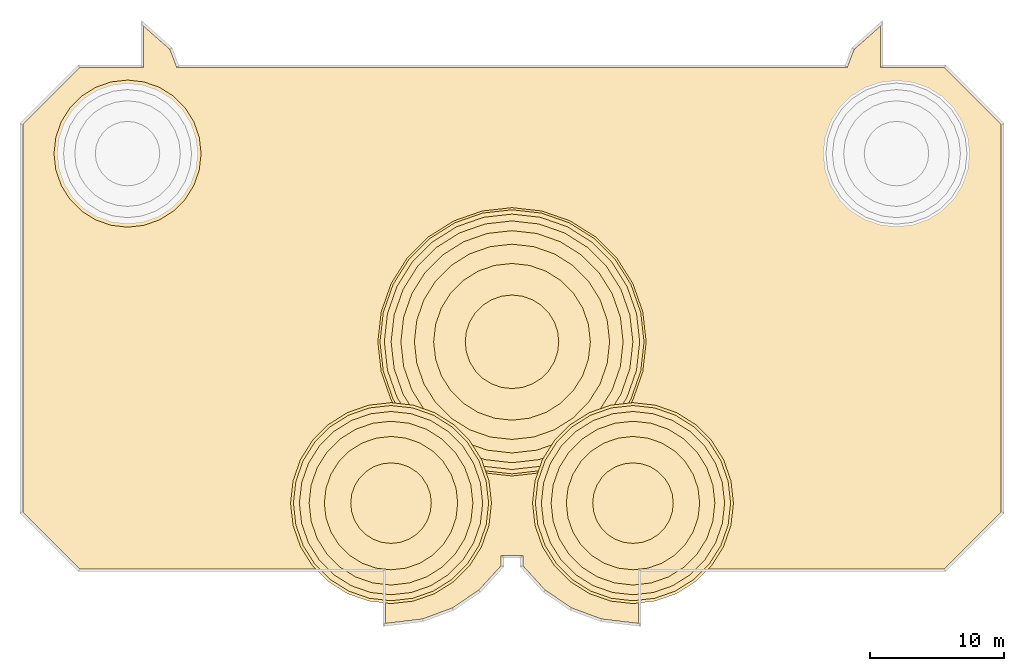
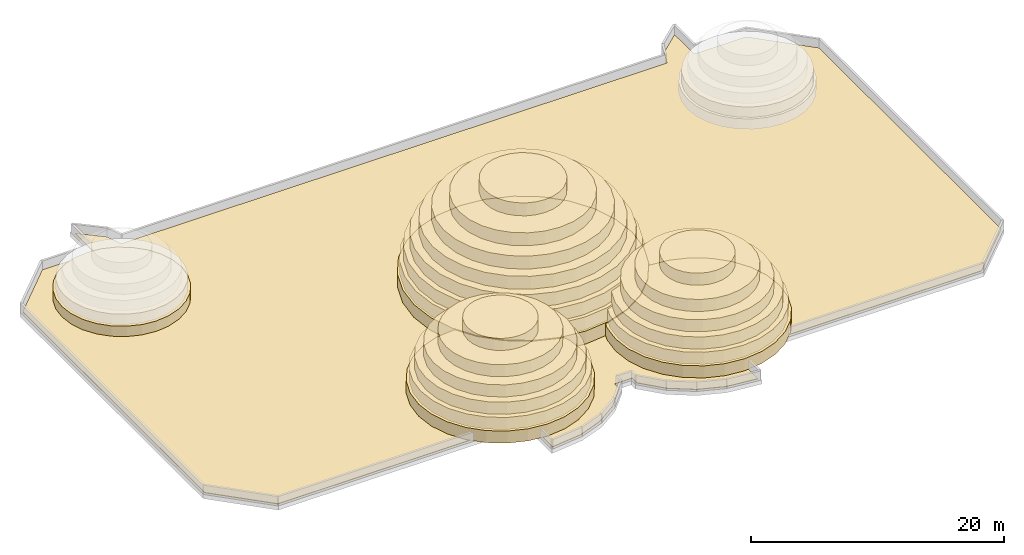
# One storey, part 2 of 3: 22 coverings.
"""IFC4 building model written with IfcOpenShell, lengths in metres."""

from ifc_helpers import new_model, si_unit, direction, frame, origin, place, context, subcontext, project, spatial, polyline, outline, extrude, source, transform, mapped, material, layer, layer_set, type_object, element, save


model = new_model("IFC4")

# Units and contexts
model_context = context("Model", 3, precision=1e-05, world=origin(), true_north=direction((0.0, 1.0)))
body_context = subcontext(model_context, "Body", "Model", "MODEL_VIEW")
ifc_project = project(units=[si_unit("LENGTHUNIT", "METRE"), si_unit("AREAUNIT", "SQUARE_METRE"), si_unit("VOLUMEUNIT", "CUBIC_METRE"), si_unit("PLANEANGLEUNIT", "RADIAN"), si_unit("MASSUNIT", "GRAM", prefix="KILO")], contexts=[model_context])

# Site, building, storey
site_placement = place(None, origin())
site = spatial("IfcSite", under=ifc_project, at=site_placement, CompositionType="ELEMENT")
building_placement = place(site_placement, origin())
building = spatial("IfcBuilding", under=site, at=building_placement, Name="Vanashikhar Sky Hotel", CompositionType="ELEMENT")
storey_placement = place(building_placement, frame((0.0, 0.0, 339.300048828125)))
storey = spatial("IfcBuildingStorey", under=building, at=storey_placement, Name="ROOF", CompositionType="ELEMENT", Elevation=339.300048828125)

# Coverings
ifc_material = material(Name="Terracotta roofing tile", Category="masonry")
ifc_layer_1 = layer(ifc_material, 0.06005859375)
ifc_layer_set_1 = layer_set([ifc_layer_1], Name="Roofing covering 60")
covering_type_1 = type_object("IfcCoveringType", Name="Roofing covering 60", PredefinedType="ROOFING", material=ifc_layer_set_1)
shared_shape_1 = source(origin(), body_context, "Body", "SweptSolid", [
    extrude(outline(polyline([(49.594970703125, 5.346435546875), (47.926513671875, 3.5244140625), (45.964599609375, 2.2041015625), (43.747314453125, 1.38134765625), (41.0048828125, 1.05517578125), (41.0048828125, 5.10498046875), (18.236328125, 5.10498046875), (14.0048828125, 9.33642578125), (14.0048828125, 38.16357421875), (18.236328125, 42.39501953125), (22.992919921875, 42.39501953125), (22.992919921875, 45.485595703125), (24.94921875, 43.7587890625), (25.4716796875, 42.39501953125), (75.328369140625, 42.39501953125), (75.850830078125, 43.7587890625), (77.806884765625, 45.485595703125), (77.806884765625, 42.39501953125), (82.563720703125, 42.39501953125), (86.794921875, 38.16357421875), (86.794921875, 9.33642578125), (82.563720703125, 5.10498046875), (59.794921875, 5.10498046875), (59.794921875, 1.05517578125), (57.052490234375, 1.38134765625), (54.83544921875, 2.2041015625), (52.873291015625, 3.5244140625), (51.205078125, 5.346435546875), (51.205078125, 6.10498046875), (49.594970703125, 6.10498046875), (49.594970703125, 5.346435546875)])), origin(), (0.0, 0.0, 1.0), 0.06005859375),
])
covering_1_placement = place(storey_placement, frame((0.0, 0.0, 0.39990234375)))
element("IfcCovering", 1, at=covering_1_placement, inside=storey, type_object=covering_type_1, Name="Canopy roofing", PredefinedType="ROOFING", context=body_context, shape_type="MappedRepresentation", body=[
    mapped(shared_shape_1, transform((0.0, 0.0, 0.0), scale=1.0)),
])
ifc_layer_2 = layer(ifc_material, 1.0)
ifc_layer_set_2 = layer_set([ifc_layer_2], Name="Crown peak shell")
covering_type_2 = type_object("IfcCoveringType", Name="Crown peak shell", PredefinedType="CLADDING", material=ifc_layer_set_2)
shared_shape_2 = source(origin(), body_context, "Body", "SweptSolid", [
    extrude(outline(polyline([(60.38037109375, 22.0), (60.130126953125, 24.220947265625), (59.39208984375, 26.330322265625), (58.202880859375, 28.22265625), (56.622802734375, 29.802978515625), (54.73046875, 30.9921875), (52.620849609375, 31.730224609375), (50.39990234375, 31.98046875), (48.17919921875, 31.730224609375), (46.069580078125, 30.9921875), (44.17724609375, 29.802978515625), (42.596923828125, 28.22265625), (41.407958984375, 26.330322265625), (40.669921875, 24.220947265625), (40.419677734375, 22.0), (40.669921875, 19.779052734375), (41.407958984375, 17.669677734375), (42.596923828125, 15.77734375), (44.17724609375, 14.197021484375), (46.069580078125, 13.0078125), (48.17919921875, 12.269775390625), (50.39990234375, 12.01953125), (52.620849609375, 12.269775390625), (54.73046875, 13.0078125), (56.622802734375, 14.197021484375), (58.202880859375, 15.77734375), (59.39208984375, 17.669677734375), (60.130126953125, 19.779052734375), (60.38037109375, 22.0)])), origin(), (0.0, 0.0, 1.0), 1.25),
])
covering_2_placement = place(storey_placement, frame((0.0, 0.0, 0.4599609375)))
element("IfcCovering", 2, at=covering_2_placement, inside=storey, type_object=covering_type_2, Name="Crown peak shell", PredefinedType="CLADDING", context=body_context, shape_type="MappedRepresentation", body=[
    mapped(shared_shape_2, transform((0.0, 0.0, 0.0), scale=1.0)),
])
shared_shape_3 = source(origin(), body_context, "Body", "SweptSolid", [
    extrude(outline(polyline([(60.22265625, 22.0), (59.976318359375, 24.185791015625), (59.25, 26.261962890625), (58.07958984375, 28.124267578125), (56.5244140625, 29.6796875), (54.661865234375, 30.849853515625), (52.585693359375, 31.576416015625), (50.39990234375, 31.822509765625), (48.21435546875, 31.576416015625), (46.13818359375, 30.849853515625), (44.275634765625, 29.6796875), (42.72021484375, 28.124267578125), (41.550048828125, 26.261962890625), (40.823486328125, 24.185791015625), (40.577392578125, 22.0), (40.823486328125, 19.814208984375), (41.550048828125, 17.738037109375), (42.72021484375, 15.875732421875), (44.275634765625, 14.3203125), (46.13818359375, 13.150146484375), (48.21435546875, 12.423583984375), (50.39990234375, 12.177490234375), (52.585693359375, 12.423583984375), (54.661865234375, 13.150146484375), (56.5244140625, 14.3203125), (58.07958984375, 15.875732421875), (59.25, 17.738037109375), (59.976318359375, 19.814208984375), (60.22265625, 22.0)])), origin(), (0.0, 0.0, 1.0), 1.25),
])
covering_3_placement = place(storey_placement, frame((0.0, 0.0, 1.7099609375)))
element("IfcCovering", 3, at=covering_3_placement, inside=storey, type_object=covering_type_2, Name="Crown peak shell", PredefinedType="CLADDING", context=body_context, shape_type="MappedRepresentation", body=[
    mapped(shared_shape_3, transform((0.0, 0.0, 0.0), scale=1.0)),
])
shared_shape_4 = source(origin(), body_context, "Body", "SweptSolid", [
    extrude(outline(polyline([(59.899169921875, 22.0), (59.660888671875, 24.11376953125), (58.95849609375, 26.12158203125), (57.826904296875, 27.922607421875), (56.322509765625, 29.4267578125), (54.521484375, 30.55859375), (52.513916015625, 31.260986328125), (50.39990234375, 31.499267578125), (48.2861328125, 31.260986328125), (46.278564453125, 30.55859375), (44.477294921875, 29.4267578125), (42.97314453125, 27.922607421875), (41.841552734375, 26.12158203125), (41.138916015625, 24.11376953125), (40.90087890625, 22.0), (41.138916015625, 19.88623046875), (41.841552734375, 17.87841796875), (42.97314453125, 16.077392578125), (44.477294921875, 14.5732421875), (46.278564453125, 13.44140625), (48.2861328125, 12.739013671875), (50.39990234375, 12.500732421875), (52.513916015625, 12.739013671875), (54.521484375, 13.44140625), (56.322509765625, 14.5732421875), (57.826904296875, 16.077392578125), (58.95849609375, 17.87841796875), (59.660888671875, 19.88623046875), (59.899169921875, 22.0)])), origin(), (0.0, 0.0, 1.0), 1.25),
])
covering_4_placement = place(storey_placement, frame((0.0, 0.0, 2.9599609375)))
element("IfcCovering", 4, at=covering_4_placement, inside=storey, type_object=covering_type_2, Name="Crown peak shell", PredefinedType="CLADDING", context=body_context, shape_type="MappedRepresentation", body=[
    mapped(shared_shape_4, transform((0.0, 0.0, 0.0), scale=1.0)),
])
shared_shape_5 = source(origin(), body_context, "Body", "SweptSolid", [
    extrude(outline(polyline([(59.39208984375, 22.0), (59.166748046875, 24.0009765625), (58.501708984375, 25.901611328125), (57.430419921875, 27.6064453125), (56.006591796875, 29.030517578125), (54.301513671875, 30.101806640625), (52.40087890625, 30.7666015625), (50.39990234375, 30.9921875), (48.399169921875, 30.7666015625), (46.498291015625, 30.101806640625), (44.79345703125, 29.030517578125), (43.36962890625, 27.6064453125), (42.29833984375, 25.901611328125), (41.63330078125, 24.0009765625), (41.40771484375, 22.0), (41.63330078125, 19.9990234375), (42.29833984375, 18.098388671875), (43.36962890625, 16.3935546875), (44.79345703125, 14.969482421875), (46.498291015625, 13.898193359375), (48.399169921875, 13.2333984375), (50.39990234375, 13.0078125), (52.40087890625, 13.2333984375), (54.301513671875, 13.898193359375), (56.006591796875, 14.969482421875), (57.430419921875, 16.3935546875), (58.501708984375, 18.098388671875), (59.166748046875, 19.9990234375), (59.39208984375, 22.0)])), origin(), (0.0, 0.0, 1.0), 1.25),
])
covering_5_placement = place(storey_placement, frame((0.0, 0.0, 4.2099609375)))
element("IfcCovering", 5, at=covering_5_placement, inside=storey, type_object=covering_type_2, Name="Crown peak shell", PredefinedType="CLADDING", context=body_context, shape_type="MappedRepresentation", body=[
    mapped(shared_shape_5, transform((0.0, 0.0, 0.0), scale=1.0)),
])
shared_shape_6 = source(origin(), body_context, "Body", "SweptSolid", [
    extrude(outline(polyline([(58.66796875, 22.0), (58.460693359375, 23.83984375), (57.84912109375, 25.58740234375), (56.8642578125, 27.155029296875), (55.554931640625, 28.464111328125), (53.9873046875, 29.44921875), (52.23974609375, 30.060791015625), (50.39990234375, 30.26806640625), (48.560302734375, 30.060791015625), (46.812744140625, 29.44921875), (45.2451171875, 28.464111328125), (43.935791015625, 27.155029296875), (42.95068359375, 25.58740234375), (42.33935546875, 23.83984375), (42.132080078125, 22.0), (42.33935546875, 20.16015625), (42.95068359375, 18.41259765625), (43.935791015625, 16.844970703125), (45.2451171875, 15.535888671875), (46.812744140625, 14.55078125), (48.560302734375, 13.939208984375), (50.39990234375, 13.73193359375), (52.23974609375, 13.939208984375), (53.9873046875, 14.55078125), (55.554931640625, 15.535888671875), (56.8642578125, 16.844970703125), (57.84912109375, 18.41259765625), (58.460693359375, 20.16015625), (58.66796875, 22.0)])), origin(), (0.0, 0.0, 1.0), 1.25),
])
covering_6_placement = place(storey_placement, frame((0.0, 0.0, 5.4599609375)))
element("IfcCovering", 6, at=covering_6_placement, inside=storey, type_object=covering_type_2, Name="Crown peak shell", PredefinedType="CLADDING", context=body_context, shape_type="MappedRepresentation", body=[
    mapped(shared_shape_6, transform((0.0, 0.0, 0.0), scale=1.0)),
])
shared_shape_7 = source(origin(), body_context, "Body", "SweptSolid", [
    extrude(outline(polyline([(57.661865234375, 22.0), (57.479736328125, 23.615966796875), (56.942626953125, 25.15087890625), (56.077392578125, 26.527587890625), (54.927734375, 27.677490234375), (53.55078125, 28.542724609375), (52.015869140625, 29.079833984375), (50.39990234375, 29.26171875), (48.7841796875, 29.079833984375), (47.249267578125, 28.542724609375), (45.872314453125, 27.677490234375), (44.722412109375, 26.527587890625), (43.857421875, 25.15087890625), (43.3203125, 23.615966796875), (43.13818359375, 22.0), (43.3203125, 20.384033203125), (43.857421875, 18.84912109375), (44.722412109375, 17.472412109375), (45.872314453125, 16.322509765625), (47.249267578125, 15.457275390625), (48.7841796875, 14.920166015625), (50.39990234375, 14.73828125), (52.015869140625, 14.920166015625), (53.55078125, 15.457275390625), (54.927734375, 16.322509765625), (56.077392578125, 17.472412109375), (56.942626953125, 18.84912109375), (57.479736328125, 20.384033203125), (57.661865234375, 22.0)])), origin(), (0.0, 0.0, 1.0), 1.25),
])
covering_7_placement = place(storey_placement, frame((0.0, 0.0, 6.7099609375)))
element("IfcCovering", 7, at=covering_7_placement, inside=storey, type_object=covering_type_2, Name="Crown peak shell", PredefinedType="CLADDING", context=body_context, shape_type="MappedRepresentation", body=[
    mapped(shared_shape_7, transform((0.0, 0.0, 0.0), scale=1.0)),
])
shared_shape_8 = source(origin(), body_context, "Body", "SweptSolid", [
    extrude(outline(polyline([(56.2294921875, 22.0), (56.08349609375, 23.297119140625), (55.65234375, 24.529296875), (54.957763671875, 25.634765625), (54.03466796875, 26.557861328125), (52.929443359375, 27.252197265625), (51.697265625, 27.68359375), (50.39990234375, 27.82958984375), (49.102783203125, 27.68359375), (47.87060546875, 27.252197265625), (46.765380859375, 26.557861328125), (45.84228515625, 25.634765625), (45.147705078125, 24.529296875), (44.716552734375, 23.297119140625), (44.5703125, 22.0), (44.716552734375, 20.702880859375), (45.147705078125, 19.470703125), (45.84228515625, 18.365234375), (46.765380859375, 17.442138671875), (47.87060546875, 16.747802734375), (49.102783203125, 16.31640625), (50.39990234375, 16.17041015625), (51.697265625, 16.31640625), (52.929443359375, 16.747802734375), (54.03466796875, 17.442138671875), (54.957763671875, 18.365234375), (55.65234375, 19.470703125), (56.08349609375, 20.702880859375), (56.2294921875, 22.0)])), origin(), (0.0, 0.0, 1.0), 1.25),
])
covering_8_placement = place(storey_placement, frame((0.0, 0.0, 7.9599609375)))
element("IfcCovering", 8, at=covering_8_placement, inside=storey, type_object=covering_type_2, Name="Crown peak shell", PredefinedType="CLADDING", context=body_context, shape_type="MappedRepresentation", body=[
    mapped(shared_shape_8, transform((0.0, 0.0, 0.0), scale=1.0)),
])
shared_shape_9 = source(origin(), body_context, "Body", "SweptSolid", [
    extrude(outline(polyline([(53.8798828125, 22.0), (53.79248046875, 22.7744140625), (53.53515625, 23.510009765625), (53.12060546875, 24.169677734375), (52.569580078125, 24.720703125), (51.909912109375, 25.13525390625), (51.17431640625, 25.392578125), (50.39990234375, 25.47998046875), (49.625732421875, 25.392578125), (48.89013671875, 25.13525390625), (48.230224609375, 24.720703125), (47.67919921875, 24.169677734375), (47.264892578125, 23.510009765625), (47.00732421875, 22.7744140625), (46.920166015625, 22.0), (47.00732421875, 21.2255859375), (47.264892578125, 20.489990234375), (47.67919921875, 19.830322265625), (48.230224609375, 19.279296875), (48.89013671875, 18.86474609375), (49.625732421875, 18.607421875), (50.39990234375, 18.52001953125), (51.17431640625, 18.607421875), (51.909912109375, 18.86474609375), (52.569580078125, 19.279296875), (53.12060546875, 19.830322265625), (53.53515625, 20.489990234375), (53.79248046875, 21.2255859375), (53.8798828125, 22.0)])), origin(), (0.0, 0.0, 1.0), 1.25),
])
covering_9_placement = place(storey_placement, frame((0.0, 0.0, 9.2099609375)))
element("IfcCovering", 9, at=covering_9_placement, inside=storey, type_object=covering_type_2, Name="Crown peak shell", PredefinedType="CLADDING", context=body_context, shape_type="MappedRepresentation", body=[
    mapped(shared_shape_9, transform((0.0, 0.0, 0.0), scale=1.0)),
])
shared_shape_10 = source(origin(), body_context, "Body", "SweptSolid", [
    extrude(outline(polyline([(48.873779296875, 10.0), (48.6865234375, 11.6630859375), (48.1337890625, 13.242919921875), (47.243408203125, 14.659912109375), (46.059814453125, 15.84326171875), (44.642822265625, 16.73388671875), (43.06298828125, 17.28662109375), (41.39990234375, 17.473876953125), (39.73681640625, 17.28662109375), (38.1572265625, 16.73388671875), (36.739990234375, 15.84326171875), (35.556640625, 14.659912109375), (34.666259765625, 13.242919921875), (34.113525390625, 11.6630859375), (33.926025390625, 10.0), (34.113525390625, 8.3369140625), (34.666259765625, 6.757080078125), (35.556640625, 5.340087890625), (36.739990234375, 4.15673828125), (38.1572265625, 3.26611328125), (39.73681640625, 2.71337890625), (41.39990234375, 2.526123046875), (43.06298828125, 2.71337890625), (44.642822265625, 3.26611328125), (46.059814453125, 4.15673828125), (47.243408203125, 5.340087890625), (48.1337890625, 6.757080078125), (48.6865234375, 8.3369140625), (48.873779296875, 10.0)])), origin(), (0.0, 0.0, 1.0), 1.166748046875),
])
covering_10_placement = place(storey_placement, frame((0.0, 0.0, 0.4599609375)))
element("IfcCovering", 10, at=covering_10_placement, inside=storey, type_object=covering_type_2, Name="Crown peak shell", PredefinedType="CLADDING", context=body_context, shape_type="MappedRepresentation", body=[
    mapped(shared_shape_10, transform((0.0, 0.0, 0.0), scale=1.0)),
])
shared_shape_11 = source(origin(), body_context, "Body", "SweptSolid", [
    extrude(outline(polyline([(48.661865234375, 10.0), (48.479736328125, 11.615966796875), (47.942626953125, 13.15087890625), (47.077392578125, 14.527587890625), (45.927734375, 15.677490234375), (44.55078125, 16.542724609375), (43.015869140625, 17.079833984375), (41.39990234375, 17.26171875), (39.7841796875, 17.079833984375), (38.249267578125, 16.542724609375), (36.872314453125, 15.677490234375), (35.722412109375, 14.527587890625), (34.857421875, 13.15087890625), (34.3203125, 11.615966796875), (34.13818359375, 10.0), (34.3203125, 8.384033203125), (34.857421875, 6.84912109375), (35.722412109375, 5.472412109375), (36.872314453125, 4.322509765625), (38.249267578125, 3.457275390625), (39.7841796875, 2.920166015625), (41.39990234375, 2.73828125), (43.015869140625, 2.920166015625), (44.55078125, 3.457275390625), (45.927734375, 4.322509765625), (47.077392578125, 5.472412109375), (47.942626953125, 6.84912109375), (48.479736328125, 8.384033203125), (48.661865234375, 10.0)])), origin(), (0.0, 0.0, 1.0), 1.16650390625),
])
covering_11_placement = place(storey_placement, frame((0.0, 0.0, 1.626708984375)))
element("IfcCovering", 11, at=covering_11_placement, inside=storey, type_object=covering_type_2, Name="Crown peak shell", PredefinedType="CLADDING", context=body_context, shape_type="MappedRepresentation", body=[
    mapped(shared_shape_11, transform((0.0, 0.0, 0.0), scale=1.0)),
])
shared_shape_12 = source(origin(), body_context, "Body", "SweptSolid", [
    extrude(outline(polyline([(48.218017578125, 10.0), (48.047119140625, 11.51708984375), (47.542724609375, 12.958251953125), (46.73046875, 14.2509765625), (45.65087890625, 15.33056640625), (44.358154296875, 16.142822265625), (42.9169921875, 16.64697265625), (41.39990234375, 16.81787109375), (39.8828125, 16.64697265625), (38.44189453125, 16.142822265625), (37.149169921875, 15.33056640625), (36.069580078125, 14.2509765625), (35.257080078125, 12.958251953125), (34.7529296875, 11.51708984375), (34.58203125, 10.0), (34.7529296875, 8.48291015625), (35.257080078125, 7.041748046875), (36.069580078125, 5.7490234375), (37.149169921875, 4.66943359375), (38.44189453125, 3.857177734375), (39.8828125, 3.35302734375), (41.39990234375, 3.18212890625), (42.9169921875, 3.35302734375), (44.358154296875, 3.857177734375), (45.65087890625, 4.66943359375), (46.73046875, 5.7490234375), (47.542724609375, 7.041748046875), (48.047119140625, 8.48291015625), (48.218017578125, 10.0)])), origin(), (0.0, 0.0, 1.0), 1.166748046875),
])
covering_12_placement = place(storey_placement, frame((0.0, 0.0, 2.793212890625)))
element("IfcCovering", 12, at=covering_12_placement, inside=storey, type_object=covering_type_2, Name="Crown peak shell", PredefinedType="CLADDING", context=body_context, shape_type="MappedRepresentation", body=[
    mapped(shared_shape_12, transform((0.0, 0.0, 0.0), scale=1.0)),
])
shared_shape_13 = source(origin(), body_context, "Body", "SweptSolid", [
    extrude(outline(polyline([(47.49169921875, 10.0), (47.339111328125, 11.35546875), (46.888427734375, 12.64306640625), (46.16259765625, 13.798095703125), (45.197998046875, 14.7626953125), (44.043212890625, 15.488525390625), (42.755615234375, 15.93896484375), (41.39990234375, 16.091796875), (40.04443359375, 15.93896484375), (38.7568359375, 15.488525390625), (37.601806640625, 14.7626953125), (36.63720703125, 13.798095703125), (35.91162109375, 12.64306640625), (35.4609375, 11.35546875), (35.308349609375, 10.0), (35.4609375, 8.64453125), (35.91162109375, 7.35693359375), (36.63720703125, 6.201904296875), (37.601806640625, 5.2373046875), (38.7568359375, 4.511474609375), (40.04443359375, 4.06103515625), (41.39990234375, 3.908203125), (42.755615234375, 4.06103515625), (44.043212890625, 4.511474609375), (45.197998046875, 5.2373046875), (46.16259765625, 6.201904296875), (46.888427734375, 7.35693359375), (47.339111328125, 8.64453125), (47.49169921875, 10.0)])), origin(), (0.0, 0.0, 1.0), 1.166748046875),
])
covering_13_placement = place(storey_placement, frame((0.0, 0.0, 3.9599609375)))
element("IfcCovering", 13, at=covering_13_placement, inside=storey, type_object=covering_type_2, Name="Crown peak shell", PredefinedType="CLADDING", context=body_context, shape_type="MappedRepresentation", body=[
    mapped(shared_shape_13, transform((0.0, 0.0, 0.0), scale=1.0)),
])
shared_shape_14 = source(origin(), body_context, "Body", "SweptSolid", [
    extrude(outline(polyline([(46.36083984375, 10.0), (46.236328125, 11.10400390625), (45.869384765625, 12.15234375), (45.278564453125, 13.093017578125), (44.492919921875, 13.87841796875), (43.552490234375, 14.469482421875), (42.50390625, 14.83642578125), (41.39990234375, 14.960693359375), (40.296142578125, 14.83642578125), (39.24755859375, 14.469482421875), (38.306884765625, 13.87841796875), (37.521484375, 13.093017578125), (36.930419921875, 12.15234375), (36.563720703125, 11.10400390625), (36.439208984375, 10.0), (36.563720703125, 8.89599609375), (36.930419921875, 7.84765625), (37.521484375, 6.906982421875), (38.306884765625, 6.12158203125), (39.24755859375, 5.530517578125), (40.296142578125, 5.16357421875), (41.39990234375, 5.039306640625), (42.50390625, 5.16357421875), (43.552490234375, 5.530517578125), (44.492919921875, 6.12158203125), (45.278564453125, 6.906982421875), (45.869384765625, 7.84765625), (46.236328125, 8.89599609375), (46.36083984375, 10.0)])), origin(), (0.0, 0.0, 1.0), 1.16650390625),
])
covering_14_placement = place(storey_placement, frame((0.0, 0.0, 5.126708984375)))
element("IfcCovering", 14, at=covering_14_placement, inside=storey, type_object=covering_type_2, Name="Crown peak shell", PredefinedType="CLADDING", context=body_context, shape_type="MappedRepresentation", body=[
    mapped(shared_shape_14, transform((0.0, 0.0, 0.0), scale=1.0)),
])
shared_shape_15 = source(origin(), body_context, "Body", "SweptSolid", [
    extrude(outline(polyline([(44.3974609375, 10.0), (44.322265625, 10.6669921875), (44.1005859375, 11.300537109375), (43.743408203125, 11.868896484375), (43.268798828125, 12.343505859375), (42.700439453125, 12.70068359375), (42.06689453125, 12.922119140625), (41.39990234375, 12.997314453125), (40.73291015625, 12.922119140625), (40.099609375, 12.70068359375), (39.53125, 12.343505859375), (39.056396484375, 11.868896484375), (38.699462890625, 11.300537109375), (38.477783203125, 10.6669921875), (38.402587890625, 10.0), (38.477783203125, 9.3330078125), (38.699462890625, 8.699462890625), (39.056396484375, 8.131103515625), (39.53125, 7.656494140625), (40.099609375, 7.29931640625), (40.73291015625, 7.077880859375), (41.39990234375, 7.002685546875), (42.06689453125, 7.077880859375), (42.700439453125, 7.29931640625), (43.268798828125, 7.656494140625), (43.743408203125, 8.131103515625), (44.1005859375, 8.699462890625), (44.322265625, 9.3330078125), (44.3974609375, 10.0)])), origin(), (0.0, 0.0, 1.0), 1.166748046875),
])
covering_15_placement = place(storey_placement, frame((0.0, 0.0, 6.293212890625)))
element("IfcCovering", 15, at=covering_15_placement, inside=storey, type_object=covering_type_2, Name="Crown peak shell", PredefinedType="CLADDING", context=body_context, shape_type="MappedRepresentation", body=[
    mapped(shared_shape_15, transform((0.0, 0.0, 0.0), scale=1.0)),
])
shared_shape_16 = source(origin(), body_context, "Body", "SweptSolid", [
    extrude(outline(polyline([(66.873779296875, 10.0), (66.6865234375, 11.6630859375), (66.1337890625, 13.242919921875), (65.243408203125, 14.659912109375), (64.059814453125, 15.84326171875), (62.642822265625, 16.73388671875), (61.06298828125, 17.28662109375), (59.39990234375, 17.473876953125), (57.73681640625, 17.28662109375), (56.1572265625, 16.73388671875), (54.739990234375, 15.84326171875), (53.556640625, 14.659912109375), (52.666259765625, 13.242919921875), (52.113525390625, 11.6630859375), (51.926025390625, 10.0), (52.113525390625, 8.3369140625), (52.666259765625, 6.757080078125), (53.556640625, 5.340087890625), (54.739990234375, 4.15673828125), (56.1572265625, 3.26611328125), (57.73681640625, 2.71337890625), (59.39990234375, 2.526123046875), (61.06298828125, 2.71337890625), (62.642822265625, 3.26611328125), (64.059814453125, 4.15673828125), (65.243408203125, 5.340087890625), (66.1337890625, 6.757080078125), (66.6865234375, 8.3369140625), (66.873779296875, 10.0)])), origin(), (0.0, 0.0, 1.0), 1.166748046875),
])
covering_16_placement = place(storey_placement, frame((0.0, 0.0, 0.4599609375)))
element("IfcCovering", 16, at=covering_16_placement, inside=storey, type_object=covering_type_2, Name="Crown peak shell", PredefinedType="CLADDING", context=body_context, shape_type="MappedRepresentation", body=[
    mapped(shared_shape_16, transform((0.0, 0.0, 0.0), scale=1.0)),
])
shared_shape_17 = source(origin(), body_context, "Body", "SweptSolid", [
    extrude(outline(polyline([(66.661865234375, 10.0), (66.479736328125, 11.615966796875), (65.942626953125, 13.15087890625), (65.077392578125, 14.527587890625), (63.927734375, 15.677490234375), (62.55078125, 16.542724609375), (61.015869140625, 17.079833984375), (59.39990234375, 17.26171875), (57.7841796875, 17.079833984375), (56.249267578125, 16.542724609375), (54.872314453125, 15.677490234375), (53.722412109375, 14.527587890625), (52.857421875, 13.15087890625), (52.3203125, 11.615966796875), (52.13818359375, 10.0), (52.3203125, 8.384033203125), (52.857421875, 6.84912109375), (53.722412109375, 5.472412109375), (54.872314453125, 4.322509765625), (56.249267578125, 3.457275390625), (57.7841796875, 2.920166015625), (59.39990234375, 2.73828125), (61.015869140625, 2.920166015625), (62.55078125, 3.457275390625), (63.927734375, 4.322509765625), (65.077392578125, 5.472412109375), (65.942626953125, 6.84912109375), (66.479736328125, 8.384033203125), (66.661865234375, 10.0)])), origin(), (0.0, 0.0, 1.0), 1.16650390625),
])
covering_17_placement = place(storey_placement, frame((0.0, 0.0, 1.626708984375)))
element("IfcCovering", 17, at=covering_17_placement, inside=storey, type_object=covering_type_2, Name="Crown peak shell", PredefinedType="CLADDING", context=body_context, shape_type="MappedRepresentation", body=[
    mapped(shared_shape_17, transform((0.0, 0.0, 0.0), scale=1.0)),
])
shared_shape_18 = source(origin(), body_context, "Body", "SweptSolid", [
    extrude(outline(polyline([(66.218017578125, 10.0), (66.047119140625, 11.51708984375), (65.542724609375, 12.958251953125), (64.73046875, 14.2509765625), (63.65087890625, 15.33056640625), (62.358154296875, 16.142822265625), (60.9169921875, 16.64697265625), (59.39990234375, 16.81787109375), (57.8828125, 16.64697265625), (56.44189453125, 16.142822265625), (55.149169921875, 15.33056640625), (54.069580078125, 14.2509765625), (53.257080078125, 12.958251953125), (52.7529296875, 11.51708984375), (52.58203125, 10.0), (52.7529296875, 8.48291015625), (53.257080078125, 7.041748046875), (54.069580078125, 5.7490234375), (55.149169921875, 4.66943359375), (56.44189453125, 3.857177734375), (57.8828125, 3.35302734375), (59.39990234375, 3.18212890625), (60.9169921875, 3.35302734375), (62.358154296875, 3.857177734375), (63.65087890625, 4.66943359375), (64.73046875, 5.7490234375), (65.542724609375, 7.041748046875), (66.047119140625, 8.48291015625), (66.218017578125, 10.0)])), origin(), (0.0, 0.0, 1.0), 1.166748046875),
])
covering_18_placement = place(storey_placement, frame((0.0, 0.0, 2.793212890625)))
element("IfcCovering", 18, at=covering_18_placement, inside=storey, type_object=covering_type_2, Name="Crown peak shell", PredefinedType="CLADDING", context=body_context, shape_type="MappedRepresentation", body=[
    mapped(shared_shape_18, transform((0.0, 0.0, 0.0), scale=1.0)),
])
shared_shape_19 = source(origin(), body_context, "Body", "SweptSolid", [
    extrude(outline(polyline([(65.49169921875, 10.0), (65.339111328125, 11.35546875), (64.888427734375, 12.64306640625), (64.16259765625, 13.798095703125), (63.197998046875, 14.7626953125), (62.043212890625, 15.488525390625), (60.755615234375, 15.93896484375), (59.39990234375, 16.091796875), (58.04443359375, 15.93896484375), (56.7568359375, 15.488525390625), (55.601806640625, 14.7626953125), (54.63720703125, 13.798095703125), (53.91162109375, 12.64306640625), (53.4609375, 11.35546875), (53.308349609375, 10.0), (53.4609375, 8.64453125), (53.91162109375, 7.35693359375), (54.63720703125, 6.201904296875), (55.601806640625, 5.2373046875), (56.7568359375, 4.511474609375), (58.04443359375, 4.06103515625), (59.39990234375, 3.908203125), (60.755615234375, 4.06103515625), (62.043212890625, 4.511474609375), (63.197998046875, 5.2373046875), (64.16259765625, 6.201904296875), (64.888427734375, 7.35693359375), (65.339111328125, 8.64453125), (65.49169921875, 10.0)])), origin(), (0.0, 0.0, 1.0), 1.166748046875),
])
covering_19_placement = place(storey_placement, frame((0.0, 0.0, 3.9599609375)))
element("IfcCovering", 19, at=covering_19_placement, inside=storey, type_object=covering_type_2, Name="Crown peak shell", PredefinedType="CLADDING", context=body_context, shape_type="MappedRepresentation", body=[
    mapped(shared_shape_19, transform((0.0, 0.0, 0.0), scale=1.0)),
])
shared_shape_20 = source(origin(), body_context, "Body", "SweptSolid", [
    extrude(outline(polyline([(64.36083984375, 10.0), (64.236328125, 11.10400390625), (63.869384765625, 12.15234375), (63.278564453125, 13.093017578125), (62.492919921875, 13.87841796875), (61.552490234375, 14.469482421875), (60.50390625, 14.83642578125), (59.39990234375, 14.960693359375), (58.296142578125, 14.83642578125), (57.24755859375, 14.469482421875), (56.306884765625, 13.87841796875), (55.521484375, 13.093017578125), (54.930419921875, 12.15234375), (54.563720703125, 11.10400390625), (54.439208984375, 10.0), (54.563720703125, 8.89599609375), (54.930419921875, 7.84765625), (55.521484375, 6.906982421875), (56.306884765625, 6.12158203125), (57.24755859375, 5.530517578125), (58.296142578125, 5.16357421875), (59.39990234375, 5.039306640625), (60.50390625, 5.16357421875), (61.552490234375, 5.530517578125), (62.492919921875, 6.12158203125), (63.278564453125, 6.906982421875), (63.869384765625, 7.84765625), (64.236328125, 8.89599609375), (64.36083984375, 10.0)])), origin(), (0.0, 0.0, 1.0), 1.16650390625),
])
covering_20_placement = place(storey_placement, frame((0.0, 0.0, 5.126708984375)))
element("IfcCovering", 20, at=covering_20_placement, inside=storey, type_object=covering_type_2, Name="Crown peak shell", PredefinedType="CLADDING", context=body_context, shape_type="MappedRepresentation", body=[
    mapped(shared_shape_20, transform((0.0, 0.0, 0.0), scale=1.0)),
])
shared_shape_21 = source(origin(), body_context, "Body", "SweptSolid", [
    extrude(outline(polyline([(62.3974609375, 10.0), (62.322265625, 10.6669921875), (62.1005859375, 11.300537109375), (61.743408203125, 11.868896484375), (61.268798828125, 12.343505859375), (60.700439453125, 12.70068359375), (60.06689453125, 12.922119140625), (59.39990234375, 12.997314453125), (58.73291015625, 12.922119140625), (58.099609375, 12.70068359375), (57.53125, 12.343505859375), (57.056396484375, 11.868896484375), (56.699462890625, 11.300537109375), (56.477783203125, 10.6669921875), (56.402587890625, 10.0), (56.477783203125, 9.3330078125), (56.699462890625, 8.699462890625), (57.056396484375, 8.131103515625), (57.53125, 7.656494140625), (58.099609375, 7.29931640625), (58.73291015625, 7.077880859375), (59.39990234375, 7.002685546875), (60.06689453125, 7.077880859375), (60.700439453125, 7.29931640625), (61.268798828125, 7.656494140625), (61.743408203125, 8.131103515625), (62.1005859375, 8.699462890625), (62.322265625, 9.3330078125), (62.3974609375, 10.0)])), origin(), (0.0, 0.0, 1.0), 1.166748046875),
])
covering_21_placement = place(storey_placement, frame((0.0, 0.0, 6.293212890625)))
element("IfcCovering", 21, at=covering_21_placement, inside=storey, type_object=covering_type_2, Name="Crown peak shell", PredefinedType="CLADDING", context=body_context, shape_type="MappedRepresentation", body=[
    mapped(shared_shape_21, transform((0.0, 0.0, 0.0), scale=1.0)),
])
shared_shape_22 = source(origin(), body_context, "Body", "SweptSolid", [
    extrude(outline(polyline([(27.2724609375, 36.0), (27.13525390625, 37.2177734375), (26.73046875, 38.37451171875), (26.07861328125, 39.412109375), (25.2119140625, 40.278564453125), (24.17431640625, 40.930419921875), (23.017578125, 41.335205078125), (21.800048828125, 41.472412109375), (20.582275390625, 41.335205078125), (19.425537109375, 40.930419921875), (18.387939453125, 40.278564453125), (17.521484375, 39.412109375), (16.869384765625, 38.37451171875), (16.46484375, 37.2177734375), (16.32763671875, 36.0), (16.46484375, 34.7822265625), (16.869384765625, 33.62548828125), (17.521484375, 32.587890625), (18.387939453125, 31.721435546875), (19.425537109375, 31.069580078125), (20.582275390625, 30.664794921875), (21.800048828125, 30.527587890625), (23.017578125, 30.664794921875), (24.17431640625, 31.069580078125), (25.2119140625, 31.721435546875), (26.07861328125, 32.587890625), (26.73046875, 33.62548828125), (27.13525390625, 34.7822265625), (27.2724609375, 36.0)])), origin(), (0.0, 0.0, 1.0), 1.0),
])
covering_22_placement = place(storey_placement, frame((0.0, 0.0, 0.4599609375)))
element("IfcCovering", 22, at=covering_22_placement, inside=storey, type_object=covering_type_2, Name="Crown peak shell", PredefinedType="CLADDING", context=body_context, shape_type="MappedRepresentation", body=[
    mapped(shared_shape_22, transform((0.0, 0.0, 0.0), scale=1.0)),
])

save(model, "model.ifc")
